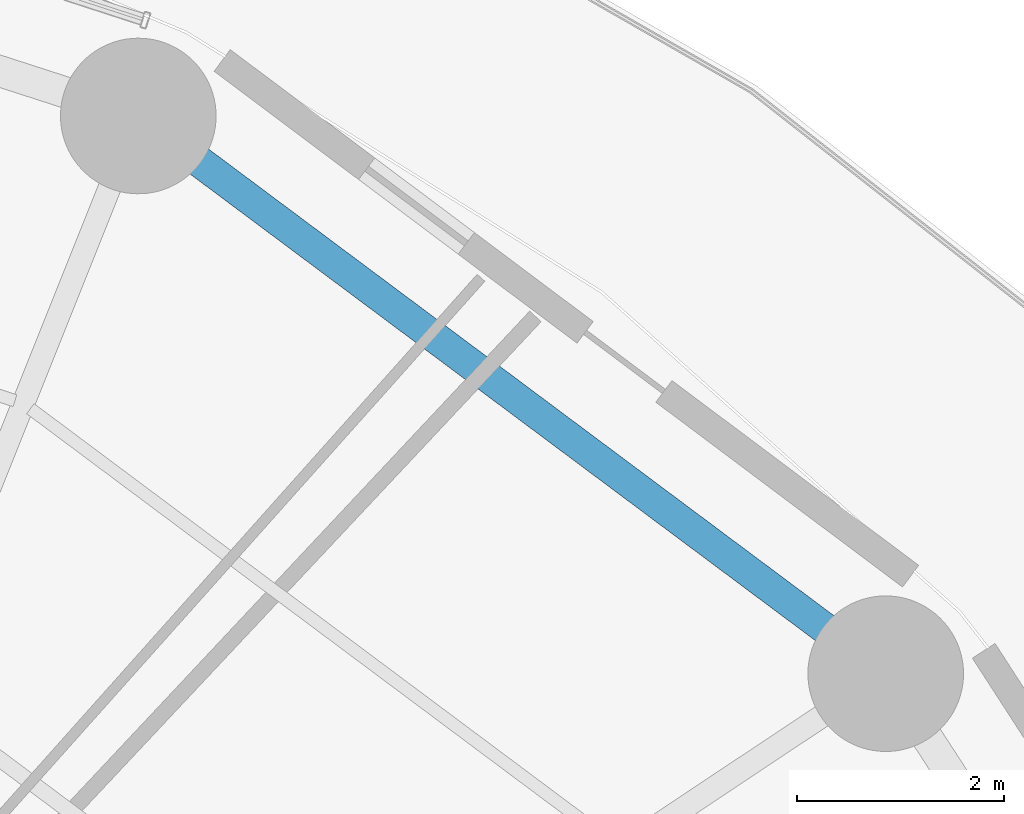
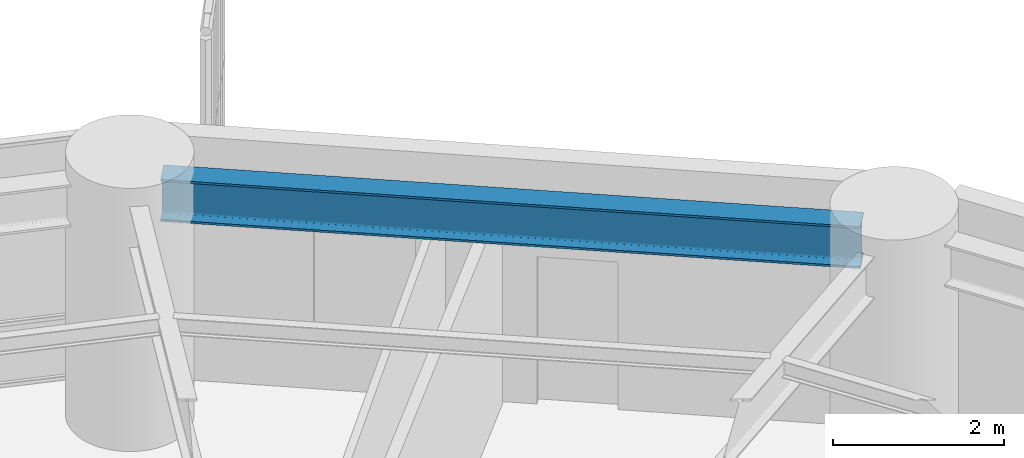
# One storey, part 21 of 34: 1 beam.
"""IFC4 building model written with IfcOpenShell, lengths in metres."""

from ifc_helpers import new_model, si_unit, direction, frame, origin, origin_2d, place, context, subcontext, project, spatial, i_section, extrude, material, material_profile, profile_set, type_object, element, save


model = new_model("IFC4")

# Units and contexts
model_context = context("Model", 3, precision=1e-05, world=origin(), true_north=direction((0.0, 1.0)))
body_context = subcontext(model_context, "Body", "Model", "MODEL_VIEW")
ifc_project = project(units=[si_unit("LENGTHUNIT", "METRE"), si_unit("AREAUNIT", "SQUARE_METRE"), si_unit("VOLUMEUNIT", "CUBIC_METRE"), si_unit("PLANEANGLEUNIT", "RADIAN"), si_unit("MASSUNIT", "GRAM", prefix="KILO")], contexts=[model_context])

# Site, building, storey
site_placement = place(None, origin())
site = spatial("IfcSite", under=ifc_project, at=site_placement, CompositionType="ELEMENT")
building_placement = place(site_placement, origin())
building = spatial("IfcBuilding", under=site, at=building_placement, Name="Kelanora Arch Commons", CompositionType="ELEMENT")
storey_placement = place(building_placement, frame((0.0, 0.0, 30.0)))
storey = spatial("IfcBuildingStorey", under=building, at=storey_placement, Name="L07", CompositionType="ELEMENT", Elevation=30.0)

# Beam
ifc_material = material(Name="Steel S355", Category="steel")
ifc_material_profile = material_profile(ifc_material, i_section(OverallWidth=0.300048828125, OverallDepth=0.60009765625, WebThickness=0.015380859375, FlangeThickness=0.030029296875, FilletRadius=0.027099609375, at=origin_2d()), Name="HEB600")
ifc_profile_set = profile_set([ifc_material_profile], Name="Steel S355")
beam_type = type_object("IfcBeamType", Name="BM-SPN-Z1", PredefinedType="SPANDREL", material=ifc_profile_set)
beam_placement = place(storey_placement, frame((94.43994140625, 73.70556640625, 3.18994140625), z_axis=(-0.801482139897, 0.598018711601, 0.0), x_axis=(-0.598018711601, -0.801482139897, 0.0)))
element("IfcBeam", 1, at=beam_placement, inside=storey, type_object=beam_type, Name="Perimeter Spandrel Beam BS-04 L07", PredefinedType="SPANDREL", context=body_context, shape_type="SweptSolid", body=[
    extrude(i_section(OverallWidth=0.300048828125, OverallDepth=0.60009765625, WebThickness=0.015380859375, FlangeThickness=0.030029296875, FilletRadius=0.027099609375, at=origin_2d()), origin(), (0.0, 0.0, 1.0), 8.22900390625),
])

save(model, "model.ifc")
